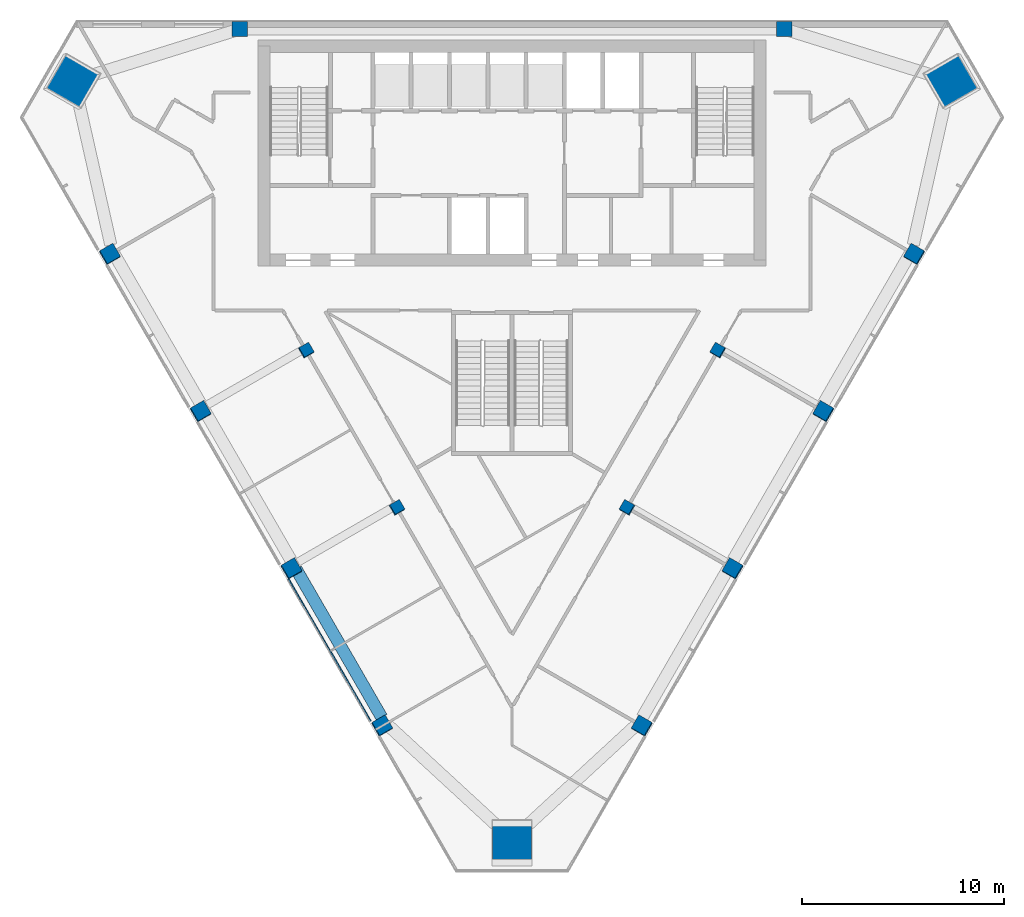
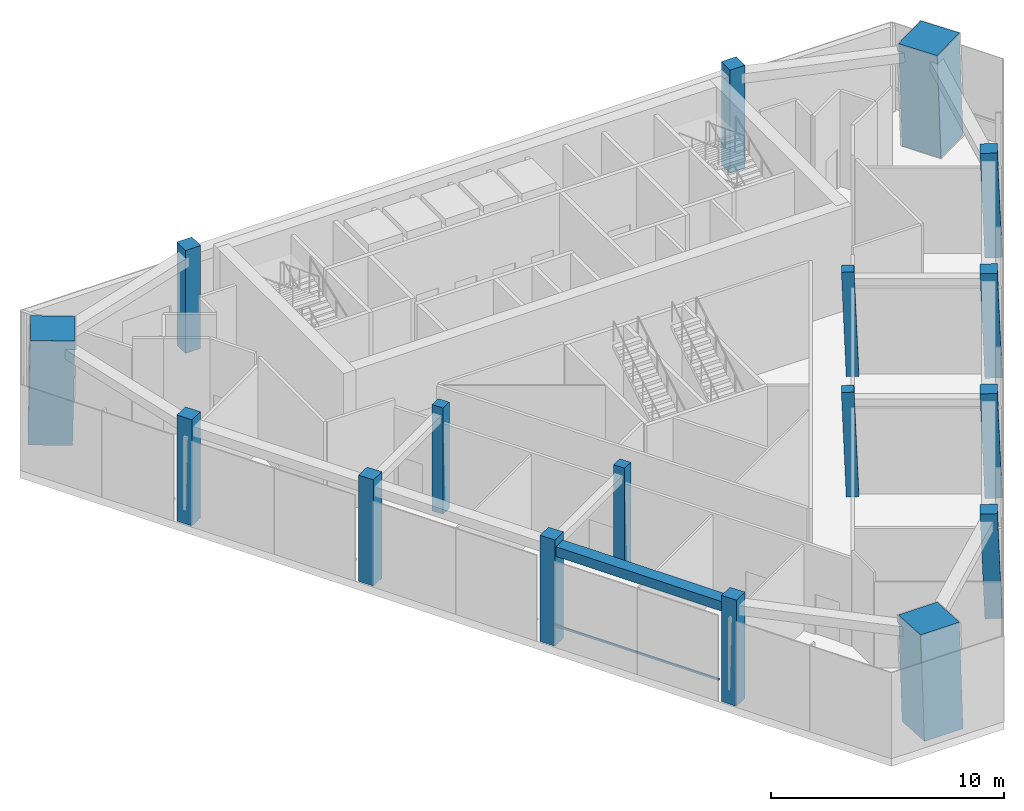
# One storey, part 1 of 10: 17 columns, 1 beam, 1 member, 1 element without a shape of its own.
"""IFC4 building model written with IfcOpenShell, lengths in metres."""

from ifc_helpers import new_model, si_unit, direction, frame, origin, origin_2d, place, context, subcontext, project, spatial, rectangle, extrude, material, layer, layer_set, material_profile, profile_set, type_object, element, aggregate, save


model = new_model("IFC4")

# Units and contexts
model_context = context("Model", 3, precision=1e-05, world=origin(), true_north=direction((0.0, 1.0)))
body_context = subcontext(model_context, "Body", "Model", "MODEL_VIEW")
ifc_project = project(units=[si_unit("LENGTHUNIT", "METRE"), si_unit("AREAUNIT", "SQUARE_METRE"), si_unit("VOLUMEUNIT", "CUBIC_METRE"), si_unit("PLANEANGLEUNIT", "RADIAN"), si_unit("MASSUNIT", "GRAM", prefix="KILO")], contexts=[model_context])

# Site, building, storey
site_placement = place(None, origin())
site = spatial("IfcSite", under=ifc_project, at=site_placement, CompositionType="ELEMENT")
building_placement = place(site_placement, origin())
building = spatial("IfcBuilding", under=site, at=building_placement, Name="Altiplano Prism Tower", CompositionType="ELEMENT")
storey_placement = place(building_placement, frame((0.0, 0.0, 233.800048828125)))
storey = spatial("IfcBuildingStorey", under=building, at=storey_placement, Name="L60", CompositionType="ELEMENT", Elevation=233.800048828125)

# Columns
ifc_material_1 = material(Name="Concrete C60/75", Category="concrete")
ifc_material_profile_1 = material_profile(ifc_material_1, rectangle(XDim=0.550048828125, YDim=0.550048828125, at=origin_2d()), Name="Inner column 550")
ifc_profile_set_1 = profile_set([ifc_material_profile_1], Name="Concrete C60/75")
column_type_1 = type_object("IfcColumnType", Name="Inner column 550", PredefinedType="COLUMN", material=ifc_profile_set_1)
for number, where, z_axis, x_axis, name in (
    (1, (74.787109375, 88.605224609375, -0.016845703125), (0.022221387519, 0.03843577394, 0.999013964476), (-0.865894001003, -0.49874768271, 0.038449031443), "Inner column I12 L60"),
    (2, (79.287109375, 80.81103515625, -0.016845703125), (0.022221387519, 0.03843577394, 0.999013964476), (-0.865894001003, -0.49874768271, 0.038449031443), "Inner column I13 L60"),
    (3, (90.712890625, 80.81103515625, -0.016845703125), (-0.022221387519, 0.03843577394, 0.999013964476), (-0.499733718058, -0.865894589585, 0.022198440547), "Inner column I22 L60"),
    (4, (95.212890625, 88.605224609375, -0.016845703125), (-0.022221387519, 0.03843577394, 0.999013964476), (-0.499733718058, -0.865894589585, 0.022198440547), "Inner column I23 L60"),
):
    element("IfcColumn", number, at=place(storey_placement, frame(where, z_axis=z_axis, x_axis=x_axis)), inside=storey, type_object=column_type_1, Name=name, PredefinedType="COLUMN", context=body_context, shape_type="SweptSolid", body=[
        extrude(rectangle(XDim=0.550048828125, YDim=0.550048828125, at=origin_2d()), origin(), (0.0, 0.0, 1.0), 5.405517578125),
    ])
ifc_material_2 = material(Name="Concrete C70/85", Category="concrete")
ifc_material_profile_2 = material_profile(ifc_material_2, rectangle(XDim=1.919921875, YDim=1.919921875, at=origin_2d()), Name="Mega column infill 2000")
ifc_profile_set_2 = profile_set([ifc_material_profile_2], Name="Concrete C70/85")
column_type_2 = type_object("IfcColumnType", Name="Mega column infill 2000", PredefinedType="COLUMN", material=ifc_profile_set_2)
column_1_placement = place(storey_placement, frame((63.12646484375, 101.934326171875, 0.0), z_axis=(0.028425663377, 0.009264325902, 0.999552977049), x_axis=(-0.86572778478, 0.500116005665, 0.019984582488)))
element("IfcColumn", 5, at=column_1_placement, inside=storey, type_object=column_type_2, Name="Mega column M0 L60", PredefinedType="COLUMN", context=body_context, shape_type="SweptSolid", body=[
    extrude(rectangle(XDim=1.919921875, YDim=1.919921875, at=origin_2d()), origin(), (0.0, 0.0, 1.0), 5.40234375),
])
column_2_placement = place(storey_placement, frame((85.0, 64.048583984375, 0.0), z_axis=(0.0, 0.058359537448, 0.998295629755), x_axis=(-1.0, 0.0, 0.0)))
element("IfcColumn", 6, at=column_2_placement, inside=storey, type_object=column_type_2, Name="Mega column M1 L60", PredefinedType="COLUMN", context=body_context, shape_type="SweptSolid", body=[
    extrude(rectangle(XDim=1.919921875, YDim=1.919921875, at=origin_2d()), origin(), (0.0, 0.0, 1.0), 5.4091796875),
])
column_3_placement = place(storey_placement, frame((106.87353515625, 101.934326171875, 0.0), z_axis=(-0.028425663377, 0.009264325902, 0.999552977049), x_axis=(0.499708960724, -0.86590789945, 0.022236551934)))
element("IfcColumn", 7, at=column_3_placement, inside=storey, type_object=column_type_2, Name="Mega column M2 L60", PredefinedType="COLUMN", context=body_context, shape_type="SweptSolid", body=[
    extrude(rectangle(XDim=1.919921875, YDim=1.919921875, at=origin_2d()), origin(), (0.0, 0.0, 1.0), 5.40234375),
])
ifc_material_profile_3 = material_profile(ifc_material_1, rectangle(XDim=0.75, YDim=0.75, at=origin_2d()), Name="Perimeter column 750")
ifc_profile_set_3 = profile_set([ifc_material_profile_3], Name="Concrete C60/75")
column_type_3 = type_object("IfcColumnType", Name="Perimeter column 750", PredefinedType="COLUMN", material=ifc_profile_set_3)
for number, where, z_axis, x_axis, name in (
    (8, (98.5, 104.550048828125, 0.0), (0.0, 0.0, 1.0), (1.0, 0.0, 0.0), "Perimeter column P01 L60"),
    (9, (71.5, 104.550048828125, 0.0), (0.0, 0.0, 1.0), (1.0, 0.0, 0.0), "Perimeter column P04 L60"),
):
    element("IfcColumn", number, at=place(storey_placement, frame(where, z_axis=z_axis, x_axis=x_axis)), inside=storey, type_object=column_type_3, Name=name, PredefinedType="COLUMN", context=body_context, shape_type="SweptSolid", body=[
        extrude(rectangle(XDim=0.75, YDim=0.75, at=origin_2d()), origin(), (0.0, 0.0, 1.0), 5.39990234375),
    ])
for number, where, z_axis, x_axis, name in (
    (10, (65.047607421875, 93.374267578125, -0.022705078125), (0.022222390212, 0.038437508274, 0.999013875445), (-0.865893962411, -0.498747615959, 0.038450766375), "Perimeter column P11 L60"),
    (11, (69.547607421875, 85.579833984375, -0.022705078125), (0.022222351609, 0.038482608884, 0.999012140018), (-0.865639371421, -0.499186755265, 0.038484568506), "Perimeter column P12 L60"),
    (12, (74.047607421875, 77.78564453125, -0.022705078125), (0.022222351609, 0.038482608884, 0.999012140018), (-0.865639371421, -0.499186755265, 0.038484568506), "Perimeter column P13 L60"),
    (13, (78.547607421875, 69.991455078125, -0.022705078125), (0.022222390212, 0.038437508274, 0.999013875445), (-0.865893962411, -0.498747615959, 0.038450766375), "Perimeter column P14 L60"),
    (14, (91.452392578125, 69.991455078125, -0.022705078125), (-0.022222390212, 0.038437508274, 0.999013875445), (-0.499733740339, -0.865894551047, 0.022199442205), "Perimeter column P21 L60"),
    (15, (95.952392578125, 77.78564453125, -0.022705078125), (-0.022222351609, 0.038482608884, 0.999012140018), (-0.500174615244, -0.86563945854, 0.022218957771), "Perimeter column P22 L60"),
    (16, (100.452392578125, 85.579833984375, -0.022705078125), (-0.022222351609, 0.038482608884, 0.999012140018), (-0.500174615244, -0.86563945854, 0.022218957771), "Perimeter column P23 L60"),
    (17, (104.952392578125, 93.374267578125, -0.022705078125), (-0.022222390212, 0.038437508274, 0.999013875445), (-0.499730627119, -0.865896344228, 0.02219958045), "Perimeter column P24 L60"),
):
    element("IfcColumn", number, at=place(storey_placement, frame(where, z_axis=z_axis, x_axis=x_axis)), inside=storey, type_object=column_type_3, Name=name, PredefinedType="COLUMN", context=body_context, shape_type="SweptSolid", body=[
        extrude(rectangle(XDim=0.75, YDim=0.75, at=origin_2d()), origin(), (0.0, 0.0, 1.0), 5.4052734375),
    ])

# Curtain wall, member
ifc_material_3 = material(Name="Aluminium and glass", Category="aluminium")
ifc_layer = layer(ifc_material_3, 0.360107421875)
ifc_layer_set = layer_set([ifc_layer], Name="Aluminium and glass")
curtain_wall_type = type_object("IfcCurtainWallType", Name="CW3 sky-lobby unitised glazing", PredefinedType="NOTDEFINED", material=ifc_layer_set)
curtain_wall_placement = place(storey_placement, origin())
curtain_wall = element("IfcCurtainWall", 18, at=curtain_wall_placement, inside=storey, type_object=curtain_wall_type, Name="CW3 curtain wall south-west face L60", PredefinedType="NOTDEFINED")
ifc_material_4 = material(Name="Aluminium", Category="aluminium")
ifc_material_profile_4 = material_profile(ifc_material_4, rectangle(XDim=0.070068359375, YDim=0.10009765625, at=origin_2d()), Name="CW3 transom 100 x 70")
ifc_profile_set_4 = profile_set([ifc_material_profile_4], Name="Aluminium")
member_type = type_object("IfcMemberType", Name="CW3 transom 100 x 70", PredefinedType="USERDEFINED", material=ifc_profile_set_4)
member_placement = place(storey_placement, frame((73.919921875, 77.27880859375, 1.099853515625), z_axis=(0.499995396135, -0.866028061811, 0.0), x_axis=(0.866028061811, 0.499995396135, 0.0)))
member = element("IfcMember", 19, at=member_placement, type_object=member_type, Name="CW3 transom", ObjectType="TRANSOM", PredefinedType="USERDEFINED", context=body_context, shape_type="SweptSolid", body=[
    extrude(rectangle(XDim=0.070068359375, YDim=0.10009765625, at=origin_2d()), origin(), (0.0, 0.0, 1.0), 8.1298828125),
])
aggregate(curtain_wall, [member])

# Beam
ifc_material_profile_5 = material_profile(ifc_material_1, rectangle(XDim=0.60009765625, YDim=0.5, at=origin_2d()), Name="Edge beam 600x500")
ifc_profile_set_5 = profile_set([ifc_material_profile_5], Name="Concrete C60/75")
beam_type = type_object("IfcBeamType", Name="Edge beam 600x500", PredefinedType="SPANDREL", material=ifc_profile_set_5)
beam_placement = place(storey_placement, frame((74.295654296875, 77.773681640625, 4.75), z_axis=(0.499977180862, -0.866038578019, 0.0), x_axis=(0.866038578019, 0.499977180862, 0.0)))
element("IfcBeam", 20, at=beam_placement, inside=storey, type_object=beam_type, Name="Edge beam P13-P14 L61", PredefinedType="SPANDREL", context=body_context, shape_type="SweptSolid", body=[
    extrude(rectangle(XDim=0.60009765625, YDim=0.5, at=origin_2d()), origin(), (0.0, 0.0, 1.0), 8.490234375),
])

save(model, "model.ifc")
